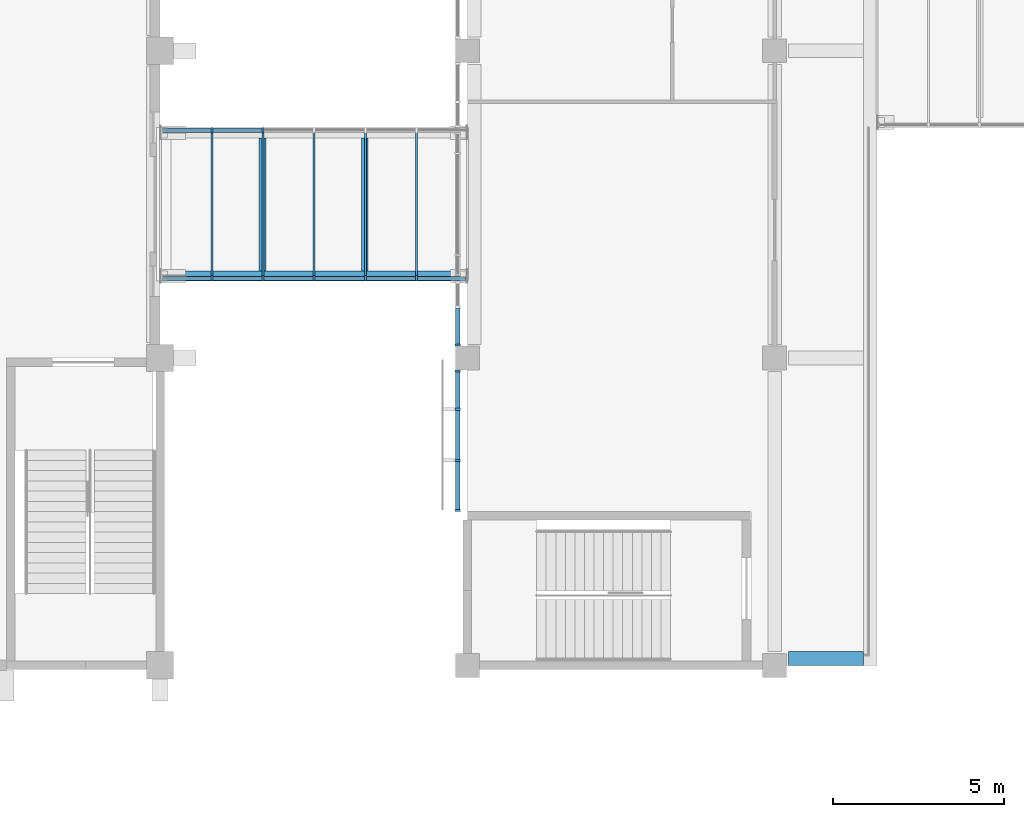
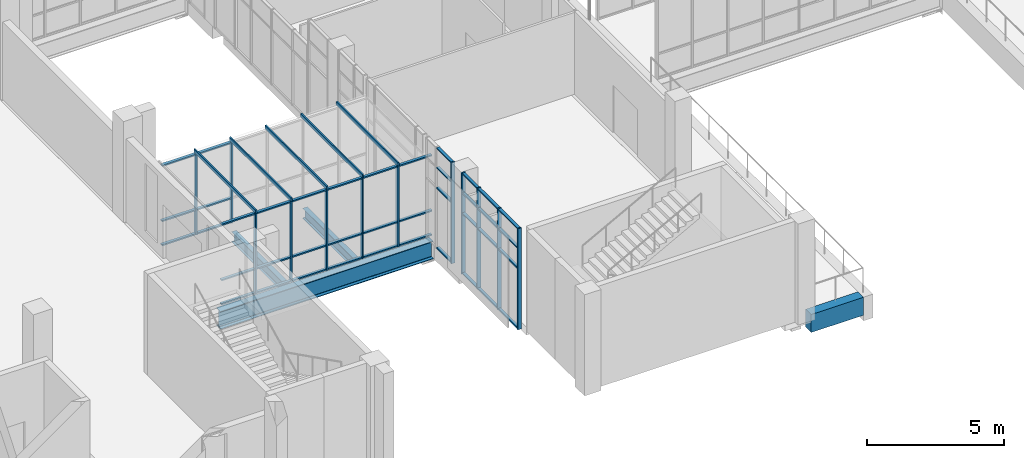
# One storey, part 9 of 106: 57 members, 4 beams, 5 elements without a shape of their own.
"""IFC4 building model written with IfcOpenShell, lengths in metres."""

from ifc_helpers import new_model, si_unit, direction, frame, origin, origin_2d, place, context, subcontext, project, spatial, rectangle, i_section, extrude, material, layer, layer_set, material_profile, profile_set, type_object, element, aggregate, save


model = new_model("IFC4")

# Units and contexts
model_context = context("Model", 3, precision=1e-05, world=origin(), true_north=direction((0.0, 1.0)))
body_context = subcontext(model_context, "Body", "Model", "MODEL_VIEW")
ifc_project = project(units=[si_unit("LENGTHUNIT", "METRE"), si_unit("AREAUNIT", "SQUARE_METRE"), si_unit("VOLUMEUNIT", "CUBIC_METRE"), si_unit("PLANEANGLEUNIT", "RADIAN"), si_unit("MASSUNIT", "GRAM", prefix="KILO")], contexts=[model_context])

# Site, building, storey
site_placement = place(None, origin())
site = spatial("IfcSite", under=ifc_project, at=site_placement, CompositionType="ELEMENT")
building_placement = place(site_placement, origin())
building = spatial("IfcBuilding", under=site, at=building_placement, Name="Guidao Yard Department Store", CompositionType="ELEMENT")
storey_placement = place(building_placement, frame((0.0, 0.0, 10.5)))
storey = spatial("IfcBuildingStorey", under=building, at=storey_placement, Name="L02", CompositionType="ELEMENT", Elevation=10.5)

# Beams
ifc_material_1 = material(Name="Concrete C40", Category="concrete")
ifc_material_profile_1 = material_profile(ifc_material_1, rectangle(XDim=0.39990234375, YDim=0.800048828125, at=origin_2d()), Name="Edge beam 400 x 800 C40")
ifc_profile_set_1 = profile_set([ifc_material_profile_1], Name="Concrete C40")
beam_type_1 = type_object("IfcBeamType", Name="Edge beam 400 x 800 C40", PredefinedType="BEAM", material=ifc_profile_set_1)
beam_1_placement = place(storey_placement, frame((81.39990234375, 45.199951171875, -0.39990234375), z_axis=(1.0, 0.0, 0.0), x_axis=(0.0, 1.0, 0.0)))
element("IfcBeam", 1, at=beam_1_placement, inside=storey, type_object=beam_type_1, Name="Beam EB39", PredefinedType="BEAM", context=body_context, shape_type="SweptSolid", body=[
    extrude(rectangle(XDim=0.39990234375, YDim=0.800048828125, at=origin_2d()), origin(), (0.0, 0.0, 1.0), 2.2001953125),
])
ifc_material_2 = material(Name="Steel Q355B", Category="steel")
ifc_material_profile_2 = material_profile(ifc_material_2, i_section(OverallWidth=0.199951171875, OverallDepth=0.449951171875, WebThickness=0.009033203125, FlangeThickness=0.013916015625, FilletRadius=0.012939453125, at=origin_2d()), Name="HN 450x200x9x14")
ifc_profile_set_2 = profile_set([ifc_material_profile_2], Name="Steel Q355B")
beam_type_2 = type_object("IfcBeamType", Name="HN 450x200x9x14", PredefinedType="BEAM", material=ifc_profile_set_2)
for number, where, z_axis, x_axis, name in (
    (2, (66.0048828125, 56.550048828125, -0.47509765625), (0.0, 1.0, 0.0), (-1.0, 0.0, 0.0), "Bridge cross beam BR03-1"),
    (3, (68.9951171875, 56.550048828125, -0.47509765625), (0.0, 1.0, 0.0), (-1.0, 0.0, 0.0), "Bridge cross beam BR03-2"),
):
    element("IfcBeam", number, at=place(storey_placement, frame(where, z_axis=z_axis, x_axis=x_axis)), inside=storey, type_object=beam_type_2, Name=name, PredefinedType="BEAM", context=body_context, shape_type="SweptSolid", body=[
        extrude(i_section(OverallWidth=0.199951171875, OverallDepth=0.449951171875, WebThickness=0.009033203125, FlangeThickness=0.013916015625, FilletRadius=0.012939453125, at=origin_2d()), origin(), (0.0, 0.0, 1.0), 3.89990234375),
    ])
ifc_material_3 = material(Name="Steel Q355B", Category="steel")
ifc_material_profile_3 = material_profile(ifc_material_3, i_section(OverallWidth=0.300048828125, OverallDepth=0.800048828125, WebThickness=0.013916015625, FlangeThickness=0.02587890625, FilletRadius=0.01806640625, at=origin_2d()), Name="HN 800x300x14x26")
ifc_profile_set_3 = profile_set([ifc_material_profile_3], Name="Steel Q355B")
beam_type_3 = type_object("IfcBeamType", Name="HN 800x300x14x26", PredefinedType="BEAM", material=ifc_profile_set_3)
beam_2_placement = place(storey_placement, frame((63.014892578125, 56.39990234375, -0.64990234375), z_axis=(1.0, 0.0, 0.0), x_axis=(0.0, 1.0, 0.0)))
element("IfcBeam", 4, at=beam_2_placement, inside=storey, type_object=beam_type_3, Name="Bridge girder BR03S", PredefinedType="BEAM", context=body_context, shape_type="SweptSolid", body=[
    extrude(i_section(OverallWidth=0.300048828125, OverallDepth=0.800048828125, WebThickness=0.013916015625, FlangeThickness=0.02587890625, FilletRadius=0.01806640625, at=origin_2d()), origin(), (0.0, 0.0, 1.0), 8.97021484375),
])

# Curtain wall, members
ifc_material_4 = material(Name="Aluminium and glass", Category="aluminium")
ifc_layer_1 = layer(ifc_material_4, 0.159912109375)
ifc_layer_set_1 = layer_set([ifc_layer_1], Name="Shopfront curtain wall CW1 1500 module")
curtain_wall_type_1 = type_object("IfcCurtainWallType", Name="Shopfront curtain wall CW1 1500 module", PredefinedType="NOTDEFINED", material=ifc_layer_set_1)
curtain_wall_1_placement = place(storey_placement, origin())
curtain_wall_1 = element("IfcCurtainWall", 5, at=curtain_wall_1_placement, inside=storey, type_object=curtain_wall_type_1, Name="Arcade shop front", PredefinedType="NOTDEFINED")
ifc_material_5 = material(Name="Aluminium 6063-T5", Category="aluminium")
ifc_material_profile_4 = material_profile(ifc_material_5, rectangle(XDim=0.06005859375, YDim=0.159912109375, at=origin_2d()), Name="Mullion M1 60 x 160 aluminium pressure plate")
ifc_profile_set_4 = profile_set([ifc_material_profile_4], Name="Aluminium 6063-T5")
member_type_1 = type_object("IfcMemberType", Name="Mullion M1 60 x 160 aluminium pressure plate", PredefinedType="MULLION", material=ifc_profile_set_4)
member_1_placement = place(storey_placement, frame((71.719970703125, 49.530029296875, 0.0), z_axis=(0.0, 0.0, 1.0), x_axis=(0.0, 1.0, 0.0)))
member_1 = element("IfcMember", 6, at=member_1_placement, type_object=member_type_1, Name="CW-AS-L02-01 mullion 1", PredefinedType="MULLION", context=body_context, shape_type="SweptSolid", body=[
    extrude(rectangle(XDim=0.06005859375, YDim=0.159912109375, at=origin_2d()), origin(), (0.0, 0.0, 1.0), 4.5),
])
member_2_placement = place(storey_placement, frame((71.719970703125, 51.0, 0.0), z_axis=(0.0, 0.0, 1.0), x_axis=(0.0, 1.0, 0.0)))
member_2 = element("IfcMember", 7, at=member_2_placement, type_object=member_type_1, Name="CW-AS-L02-01 mullion 2", PredefinedType="MULLION", context=body_context, shape_type="SweptSolid", body=[
    extrude(rectangle(XDim=0.06005859375, YDim=0.159912109375, at=origin_2d()), origin(), (0.0, 0.0, 1.0), 4.5),
])
member_3_placement = place(storey_placement, frame((71.719970703125, 52.5, 0.0), z_axis=(0.0, 0.0, 1.0), x_axis=(0.0, 1.0, 0.0)))
member_3 = element("IfcMember", 8, at=member_3_placement, type_object=member_type_1, Name="CW-AS-L02-01 mullion 3", PredefinedType="MULLION", context=body_context, shape_type="SweptSolid", body=[
    extrude(rectangle(XDim=0.06005859375, YDim=0.159912109375, at=origin_2d()), origin(), (0.0, 0.0, 1.0), 4.5),
])
member_4_placement = place(storey_placement, frame((71.719970703125, 53.6201171875, 0.0), z_axis=(0.0, 0.0, 1.0), x_axis=(0.0, 1.0, 0.0)))
member_4 = element("IfcMember", 9, at=member_4_placement, type_object=member_type_1, Name="CW-AS-L02-01 mullion 4", PredefinedType="MULLION", context=body_context, shape_type="SweptSolid", body=[
    extrude(rectangle(XDim=0.06005859375, YDim=0.159912109375, at=origin_2d()), origin(), (0.0, 0.0, 1.0), 4.5),
])

# Curtain wall, member
curtain_wall_2_placement = place(storey_placement, origin())
curtain_wall_2 = element("IfcCurtainWall", 10, at=curtain_wall_2_placement, inside=storey, type_object=curtain_wall_type_1, Name="Arcade shop front", PredefinedType="NOTDEFINED")
member_5_placement = place(storey_placement, frame((71.719970703125, 54.3798828125, 0.0), z_axis=(0.0, 0.0, 1.0), x_axis=(0.0, 1.0, 0.0)))
member_5 = element("IfcMember", 11, at=member_5_placement, type_object=member_type_1, Name="CW-AS-L02-02 mullion 1", PredefinedType="MULLION", context=body_context, shape_type="SweptSolid", body=[
    extrude(rectangle(XDim=0.06005859375, YDim=0.159912109375, at=origin_2d()), origin(), (0.0, 0.0, 1.0), 4.5),
])

# Curtain wall, members
ifc_material_6 = material(Name="Aluminium and glass", Category="aluminium")
ifc_layer_2 = layer(ifc_material_6, 0.159912109375)
ifc_layer_set_2 = layer_set([ifc_layer_2], Name="Bridge glazing CW5 1500 module")
curtain_wall_type_2 = type_object("IfcCurtainWallType", Name="Bridge glazing CW5 1500 module", PredefinedType="NOTDEFINED", material=ifc_layer_set_2)
curtain_wall_3_placement = place(storey_placement, origin())
curtain_wall_3 = element("IfcCurtainWall", 12, at=curtain_wall_3_placement, inside=storey, type_object=curtain_wall_type_2, Name="Bridge glazing BR03 S", PredefinedType="NOTDEFINED")
member_6_placement = place(storey_placement, frame((64.514892578125, 56.330078125, 0.0), z_axis=(0.0, 0.0, 1.0), x_axis=(-1.0, 0.0, 0.0)))
member_6 = element("IfcMember", 13, at=member_6_placement, type_object=member_type_1, Name="CW-S-L02-01 mullion 2", PredefinedType="MULLION", context=body_context, shape_type="SweptSolid", body=[
    extrude(rectangle(XDim=0.06005859375, YDim=0.159912109375, at=origin_2d()), origin(), (0.0, 0.0, 1.0), 3.60009765625),
])
member_7_placement = place(storey_placement, frame((66.014892578125, 56.330078125, 0.0), z_axis=(0.0, 0.0, 1.0), x_axis=(-1.0, 0.0, 0.0)))
member_7 = element("IfcMember", 14, at=member_7_placement, type_object=member_type_1, Name="CW-S-L02-01 mullion 3", PredefinedType="MULLION", context=body_context, shape_type="SweptSolid", body=[
    extrude(rectangle(XDim=0.06005859375, YDim=0.159912109375, at=origin_2d()), origin(), (0.0, 0.0, 1.0), 3.60009765625),
])
member_8_placement = place(storey_placement, frame((67.514892578125, 56.330078125, 0.0), z_axis=(0.0, 0.0, 1.0), x_axis=(-1.0, 0.0, 0.0)))
member_8 = element("IfcMember", 15, at=member_8_placement, type_object=member_type_1, Name="CW-S-L02-01 mullion 4", PredefinedType="MULLION", context=body_context, shape_type="SweptSolid", body=[
    extrude(rectangle(XDim=0.06005859375, YDim=0.159912109375, at=origin_2d()), origin(), (0.0, 0.0, 1.0), 3.60009765625),
])
member_9_placement = place(storey_placement, frame((69.014892578125, 56.330078125, 0.0), z_axis=(0.0, 0.0, 1.0), x_axis=(-1.0, 0.0, 0.0)))
member_9 = element("IfcMember", 16, at=member_9_placement, type_object=member_type_1, Name="CW-S-L02-01 mullion 5", PredefinedType="MULLION", context=body_context, shape_type="SweptSolid", body=[
    extrude(rectangle(XDim=0.06005859375, YDim=0.159912109375, at=origin_2d()), origin(), (0.0, 0.0, 1.0), 3.60009765625),
])
member_10_placement = place(storey_placement, frame((70.514892578125, 56.330078125, 0.0), z_axis=(0.0, 0.0, 1.0), x_axis=(-1.0, 0.0, 0.0)))
member_10 = element("IfcMember", 17, at=member_10_placement, type_object=member_type_1, Name="CW-S-L02-01 mullion 6", PredefinedType="MULLION", context=body_context, shape_type="SweptSolid", body=[
    extrude(rectangle(XDim=0.06005859375, YDim=0.159912109375, at=origin_2d()), origin(), (0.0, 0.0, 1.0), 3.60009765625),
])

curtain_wall_4_placement = place(storey_placement, origin())
curtain_wall_4 = element("IfcCurtainWall", 18, at=curtain_wall_4_placement, inside=storey, type_object=curtain_wall_type_2, Name="Bridge glazing BR03 N", PredefinedType="NOTDEFINED")
member_11_placement = place(storey_placement, frame((64.514892578125, 60.669921875, 0.0), z_axis=(0.0, 0.0, 1.0), x_axis=(1.0, 0.0, 0.0)))
member_11 = element("IfcMember", 19, at=member_11_placement, type_object=member_type_1, Name="CW-N-L02-02 mullion 2", PredefinedType="MULLION", context=body_context, shape_type="SweptSolid", body=[
    extrude(rectangle(XDim=0.06005859375, YDim=0.159912109375, at=origin_2d()), origin(), (0.0, 0.0, 1.0), 3.60009765625),
])
member_12_placement = place(storey_placement, frame((66.014892578125, 60.669921875, 0.0), z_axis=(0.0, 0.0, 1.0), x_axis=(1.0, 0.0, 0.0)))
member_12 = element("IfcMember", 20, at=member_12_placement, type_object=member_type_1, Name="CW-N-L02-02 mullion 3", PredefinedType="MULLION", context=body_context, shape_type="SweptSolid", body=[
    extrude(rectangle(XDim=0.06005859375, YDim=0.159912109375, at=origin_2d()), origin(), (0.0, 0.0, 1.0), 3.60009765625),
])

curtain_wall_5_placement = place(storey_placement, origin())
curtain_wall_5 = element("IfcCurtainWall", 21, at=curtain_wall_5_placement, inside=storey, type_object=curtain_wall_type_2, Name="Bridge roof glazing BR03", PredefinedType="NOTDEFINED")
ifc_material_7 = material(Name="Aluminium 6063-T5", Category="aluminium")
ifc_material_profile_5 = material_profile(ifc_material_7, rectangle(XDim=0.06005859375, YDim=0.159912109375, at=origin_2d()), Name="Roof bar RB1 60 x 160 aluminium")
ifc_profile_set_5 = profile_set([ifc_material_profile_5], Name="Aluminium 6063-T5")
member_type_2 = type_object("IfcMemberType", Name="Roof bar RB1 60 x 160 aluminium", PredefinedType="USERDEFINED", material=ifc_profile_set_5)
member_13_placement = place(storey_placement, frame((64.514892578125, 56.25, 3.679931640625), z_axis=(0.0, 1.0, 0.0), x_axis=(-1.0, 0.0, 0.0)))
member_13 = element("IfcMember", 22, at=member_13_placement, type_object=member_type_2, Name="Bridge roof bar BR03", ObjectType="TRANSOM", PredefinedType="USERDEFINED", context=body_context, shape_type="SweptSolid", body=[
    extrude(rectangle(XDim=0.06005859375, YDim=0.159912109375, at=origin_2d()), origin(), (0.0, 0.0, 1.0), 4.5),
])
member_14_placement = place(storey_placement, frame((66.014892578125, 56.25, 3.679931640625), z_axis=(0.0, 1.0, 0.0), x_axis=(-1.0, 0.0, 0.0)))
member_14 = element("IfcMember", 23, at=member_14_placement, type_object=member_type_2, Name="Bridge roof bar BR03", ObjectType="TRANSOM", PredefinedType="USERDEFINED", context=body_context, shape_type="SweptSolid", body=[
    extrude(rectangle(XDim=0.06005859375, YDim=0.159912109375, at=origin_2d()), origin(), (0.0, 0.0, 1.0), 4.5),
])
member_15_placement = place(storey_placement, frame((67.514892578125, 56.25, 3.679931640625), z_axis=(0.0, 1.0, 0.0), x_axis=(-1.0, 0.0, 0.0)))
member_15 = element("IfcMember", 24, at=member_15_placement, type_object=member_type_2, Name="Bridge roof bar BR03", ObjectType="TRANSOM", PredefinedType="USERDEFINED", context=body_context, shape_type="SweptSolid", body=[
    extrude(rectangle(XDim=0.06005859375, YDim=0.159912109375, at=origin_2d()), origin(), (0.0, 0.0, 1.0), 4.5),
])
member_16_placement = place(storey_placement, frame((69.014892578125, 56.25, 3.679931640625), z_axis=(0.0, 1.0, 0.0), x_axis=(-1.0, 0.0, 0.0)))
member_16 = element("IfcMember", 25, at=member_16_placement, type_object=member_type_2, Name="Bridge roof bar BR03", ObjectType="TRANSOM", PredefinedType="USERDEFINED", context=body_context, shape_type="SweptSolid", body=[
    extrude(rectangle(XDim=0.06005859375, YDim=0.159912109375, at=origin_2d()), origin(), (0.0, 0.0, 1.0), 4.5),
])
member_17_placement = place(storey_placement, frame((70.514892578125, 56.25, 3.679931640625), z_axis=(0.0, 1.0, 0.0), x_axis=(-1.0, 0.0, 0.0)))
member_17 = element("IfcMember", 26, at=member_17_placement, type_object=member_type_2, Name="Bridge roof bar BR03", ObjectType="TRANSOM", PredefinedType="USERDEFINED", context=body_context, shape_type="SweptSolid", body=[
    extrude(rectangle(XDim=0.06005859375, YDim=0.159912109375, at=origin_2d()), origin(), (0.0, 0.0, 1.0), 4.5),
])
aggregate(curtain_wall_5, [member_13, member_14, member_15, member_16, member_17])

# Member
ifc_material_8 = material(Name="Aluminium 6063-T5", Category="aluminium")
ifc_material_profile_6 = material_profile(ifc_material_8, rectangle(XDim=0.1201171875, YDim=0.06005859375, at=origin_2d()), Name="Transom T1 60 x 120 aluminium pressure plate")
ifc_profile_set_6 = profile_set([ifc_material_profile_6], Name="Aluminium 6063-T5")
member_type_3 = type_object("IfcMemberType", Name="Transom T1 60 x 120 aluminium pressure plate", PredefinedType="USERDEFINED", material=ifc_profile_set_6)
member_18_placement = place(storey_placement, frame((71.719970703125, 49.56005859375, 0.030029296875), z_axis=(0.0, 1.0, 0.0), x_axis=(-1.0, 0.0, 0.0)))
member_18 = element("IfcMember", 27, at=member_18_placement, type_object=member_type_3, Name="CW-AS-L02-01 transom 1.1", ObjectType="TRANSOM", PredefinedType="USERDEFINED", context=body_context, shape_type="SweptSolid", body=[
    extrude(rectangle(XDim=0.1201171875, YDim=0.06005859375, at=origin_2d()), origin(), (0.0, 0.0, 1.0), 1.409912109375),
])

member_19_placement = place(storey_placement, frame((71.719970703125, 49.56005859375, 2.699951171875), z_axis=(0.0, 1.0, 0.0), x_axis=(-1.0, 0.0, 0.0)))
member_19 = element("IfcMember", 28, at=member_19_placement, type_object=member_type_3, Name="CW-AS-L02-01 transom 1.2", ObjectType="TRANSOM", PredefinedType="USERDEFINED", context=body_context, shape_type="SweptSolid", body=[
    extrude(rectangle(XDim=0.1201171875, YDim=0.06005859375, at=origin_2d()), origin(), (0.0, 0.0, 1.0), 1.409912109375),
])

member_20_placement = place(storey_placement, frame((71.719970703125, 49.56005859375, 3.60009765625), z_axis=(0.0, 1.0, 0.0), x_axis=(-1.0, 0.0, 0.0)))
member_20 = element("IfcMember", 29, at=member_20_placement, type_object=member_type_3, Name="CW-AS-L02-01 transom 1.3", ObjectType="TRANSOM", PredefinedType="USERDEFINED", context=body_context, shape_type="SweptSolid", body=[
    extrude(rectangle(XDim=0.1201171875, YDim=0.06005859375, at=origin_2d()), origin(), (0.0, 0.0, 1.0), 1.409912109375),
])

member_21_placement = place(storey_placement, frame((71.719970703125, 49.56005859375, 4.469970703125), z_axis=(0.0, 1.0, 0.0), x_axis=(-1.0, 0.0, 0.0)))
member_21 = element("IfcMember", 30, at=member_21_placement, type_object=member_type_3, Name="CW-AS-L02-01 transom 1.4", ObjectType="TRANSOM", PredefinedType="USERDEFINED", context=body_context, shape_type="SweptSolid", body=[
    extrude(rectangle(XDim=0.1201171875, YDim=0.06005859375, at=origin_2d()), origin(), (0.0, 0.0, 1.0), 1.409912109375),
])

member_22_placement = place(storey_placement, frame((71.719970703125, 51.030029296875, 0.030029296875), z_axis=(0.0, 1.0, 0.0), x_axis=(-1.0, 0.0, 0.0)))
member_22 = element("IfcMember", 31, at=member_22_placement, type_object=member_type_3, Name="CW-AS-L02-01 transom 2.1", ObjectType="TRANSOM", PredefinedType="USERDEFINED", context=body_context, shape_type="SweptSolid", body=[
    extrude(rectangle(XDim=0.1201171875, YDim=0.06005859375, at=origin_2d()), origin(), (0.0, 0.0, 1.0), 1.43994140625),
])

member_23_placement = place(storey_placement, frame((71.719970703125, 51.030029296875, 2.699951171875), z_axis=(0.0, 1.0, 0.0), x_axis=(-1.0, 0.0, 0.0)))
member_23 = element("IfcMember", 32, at=member_23_placement, type_object=member_type_3, Name="CW-AS-L02-01 transom 2.2", ObjectType="TRANSOM", PredefinedType="USERDEFINED", context=body_context, shape_type="SweptSolid", body=[
    extrude(rectangle(XDim=0.1201171875, YDim=0.06005859375, at=origin_2d()), origin(), (0.0, 0.0, 1.0), 1.43994140625),
])

member_24_placement = place(storey_placement, frame((71.719970703125, 51.030029296875, 3.60009765625), z_axis=(0.0, 1.0, 0.0), x_axis=(-1.0, 0.0, 0.0)))
member_24 = element("IfcMember", 33, at=member_24_placement, type_object=member_type_3, Name="CW-AS-L02-01 transom 2.3", ObjectType="TRANSOM", PredefinedType="USERDEFINED", context=body_context, shape_type="SweptSolid", body=[
    extrude(rectangle(XDim=0.1201171875, YDim=0.06005859375, at=origin_2d()), origin(), (0.0, 0.0, 1.0), 1.43994140625),
])

member_25_placement = place(storey_placement, frame((71.719970703125, 51.030029296875, 4.469970703125), z_axis=(0.0, 1.0, 0.0), x_axis=(-1.0, 0.0, 0.0)))
member_25 = element("IfcMember", 34, at=member_25_placement, type_object=member_type_3, Name="CW-AS-L02-01 transom 2.4", ObjectType="TRANSOM", PredefinedType="USERDEFINED", context=body_context, shape_type="SweptSolid", body=[
    extrude(rectangle(XDim=0.1201171875, YDim=0.06005859375, at=origin_2d()), origin(), (0.0, 0.0, 1.0), 1.43994140625),
])

member_26_placement = place(storey_placement, frame((71.719970703125, 52.530029296875, 0.030029296875), z_axis=(0.0, 1.0, 0.0), x_axis=(-1.0, 0.0, 0.0)))
member_26 = element("IfcMember", 35, at=member_26_placement, type_object=member_type_3, Name="CW-AS-L02-01 transom 3.1", ObjectType="TRANSOM", PredefinedType="USERDEFINED", context=body_context, shape_type="SweptSolid", body=[
    extrude(rectangle(XDim=0.1201171875, YDim=0.06005859375, at=origin_2d()), origin(), (0.0, 0.0, 1.0), 1.06005859375),
])

member_27_placement = place(storey_placement, frame((71.719970703125, 52.530029296875, 2.699951171875), z_axis=(0.0, 1.0, 0.0), x_axis=(-1.0, 0.0, 0.0)))
member_27 = element("IfcMember", 36, at=member_27_placement, type_object=member_type_3, Name="CW-AS-L02-01 transom 3.2", ObjectType="TRANSOM", PredefinedType="USERDEFINED", context=body_context, shape_type="SweptSolid", body=[
    extrude(rectangle(XDim=0.1201171875, YDim=0.06005859375, at=origin_2d()), origin(), (0.0, 0.0, 1.0), 1.06005859375),
])

member_28_placement = place(storey_placement, frame((71.719970703125, 52.530029296875, 3.60009765625), z_axis=(0.0, 1.0, 0.0), x_axis=(-1.0, 0.0, 0.0)))
member_28 = element("IfcMember", 37, at=member_28_placement, type_object=member_type_3, Name="CW-AS-L02-01 transom 3.3", ObjectType="TRANSOM", PredefinedType="USERDEFINED", context=body_context, shape_type="SweptSolid", body=[
    extrude(rectangle(XDim=0.1201171875, YDim=0.06005859375, at=origin_2d()), origin(), (0.0, 0.0, 1.0), 1.06005859375),
])

member_29_placement = place(storey_placement, frame((71.719970703125, 52.530029296875, 4.469970703125), z_axis=(0.0, 1.0, 0.0), x_axis=(-1.0, 0.0, 0.0)))
member_29 = element("IfcMember", 38, at=member_29_placement, type_object=member_type_3, Name="CW-AS-L02-01 transom 3.4", ObjectType="TRANSOM", PredefinedType="USERDEFINED", context=body_context, shape_type="SweptSolid", body=[
    extrude(rectangle(XDim=0.1201171875, YDim=0.06005859375, at=origin_2d()), origin(), (0.0, 0.0, 1.0), 1.06005859375),
])

aggregate(curtain_wall_1, [member_1, member_2, member_3, member_4, member_18, member_19, member_20, member_21, member_22, member_23, member_24, member_25, member_26, member_27, member_28, member_29])

member_30_placement = place(storey_placement, frame((71.719970703125, 54.409912109375, 0.030029296875), z_axis=(0.0, 1.0, 0.0), x_axis=(-1.0, 0.0, 0.0)))
member_30 = element("IfcMember", 39, at=member_30_placement, type_object=member_type_3, Name="CW-AS-L02-02 transom 1.1", ObjectType="TRANSOM", PredefinedType="USERDEFINED", context=body_context, shape_type="SweptSolid", body=[
    extrude(rectangle(XDim=0.1201171875, YDim=0.06005859375, at=origin_2d()), origin(), (0.0, 0.0, 1.0), 1.06005859375),
])

member_31_placement = place(storey_placement, frame((71.719970703125, 54.409912109375, 2.699951171875), z_axis=(0.0, 1.0, 0.0), x_axis=(-1.0, 0.0, 0.0)))
member_31 = element("IfcMember", 40, at=member_31_placement, type_object=member_type_3, Name="CW-AS-L02-02 transom 1.2", ObjectType="TRANSOM", PredefinedType="USERDEFINED", context=body_context, shape_type="SweptSolid", body=[
    extrude(rectangle(XDim=0.1201171875, YDim=0.06005859375, at=origin_2d()), origin(), (0.0, 0.0, 1.0), 1.06005859375),
])

member_32_placement = place(storey_placement, frame((71.719970703125, 54.409912109375, 3.60009765625), z_axis=(0.0, 1.0, 0.0), x_axis=(-1.0, 0.0, 0.0)))
member_32 = element("IfcMember", 41, at=member_32_placement, type_object=member_type_3, Name="CW-AS-L02-02 transom 1.3", ObjectType="TRANSOM", PredefinedType="USERDEFINED", context=body_context, shape_type="SweptSolid", body=[
    extrude(rectangle(XDim=0.1201171875, YDim=0.06005859375, at=origin_2d()), origin(), (0.0, 0.0, 1.0), 1.06005859375),
])

member_33_placement = place(storey_placement, frame((71.719970703125, 54.409912109375, 4.469970703125), z_axis=(0.0, 1.0, 0.0), x_axis=(-1.0, 0.0, 0.0)))
member_33 = element("IfcMember", 42, at=member_33_placement, type_object=member_type_3, Name="CW-AS-L02-02 transom 1.4", ObjectType="TRANSOM", PredefinedType="USERDEFINED", context=body_context, shape_type="SweptSolid", body=[
    extrude(rectangle(XDim=0.1201171875, YDim=0.06005859375, at=origin_2d()), origin(), (0.0, 0.0, 1.0), 1.06005859375),
])

aggregate(curtain_wall_2, [member_5, member_30, member_31, member_32, member_33])

member_34_placement = place(storey_placement, frame((64.485107421875, 56.330078125, 0.030029296875), z_axis=(-1.0, 0.0, 0.0), x_axis=(0.0, -1.0, 0.0)))
member_34 = element("IfcMember", 43, at=member_34_placement, type_object=member_type_3, Name="CW-S-L02-01 transom 1.1", ObjectType="TRANSOM", PredefinedType="USERDEFINED", context=body_context, shape_type="SweptSolid", body=[
    extrude(rectangle(XDim=0.1201171875, YDim=0.06005859375, at=origin_2d()), origin(), (0.0, 0.0, 1.0), 1.41015625),
])

member_35_placement = place(storey_placement, frame((64.485107421875, 56.330078125, 1.10009765625), z_axis=(-1.0, 0.0, 0.0), x_axis=(0.0, -1.0, 0.0)))
member_35 = element("IfcMember", 44, at=member_35_placement, type_object=member_type_3, Name="CW-S-L02-01 transom 1.2", ObjectType="TRANSOM", PredefinedType="USERDEFINED", context=body_context, shape_type="SweptSolid", body=[
    extrude(rectangle(XDim=0.1201171875, YDim=0.06005859375, at=origin_2d()), origin(), (0.0, 0.0, 1.0), 1.41015625),
])

member_36_placement = place(storey_placement, frame((64.485107421875, 56.330078125, 3.570068359375), z_axis=(-1.0, 0.0, 0.0), x_axis=(0.0, -1.0, 0.0)))
member_36 = element("IfcMember", 45, at=member_36_placement, type_object=member_type_3, Name="CW-S-L02-01 transom 1.3", ObjectType="TRANSOM", PredefinedType="USERDEFINED", context=body_context, shape_type="SweptSolid", body=[
    extrude(rectangle(XDim=0.1201171875, YDim=0.06005859375, at=origin_2d()), origin(), (0.0, 0.0, 1.0), 1.41015625),
])

member_37_placement = place(storey_placement, frame((65.985107421875, 56.330078125, 0.030029296875), z_axis=(-1.0, 0.0, 0.0), x_axis=(0.0, -1.0, 0.0)))
member_37 = element("IfcMember", 46, at=member_37_placement, type_object=member_type_3, Name="CW-S-L02-01 transom 2.1", ObjectType="TRANSOM", PredefinedType="USERDEFINED", context=body_context, shape_type="SweptSolid", body=[
    extrude(rectangle(XDim=0.1201171875, YDim=0.06005859375, at=origin_2d()), origin(), (0.0, 0.0, 1.0), 1.440185546875),
])

member_38_placement = place(storey_placement, frame((65.985107421875, 56.330078125, 1.10009765625), z_axis=(-1.0, 0.0, 0.0), x_axis=(0.0, -1.0, 0.0)))
member_38 = element("IfcMember", 47, at=member_38_placement, type_object=member_type_3, Name="CW-S-L02-01 transom 2.2", ObjectType="TRANSOM", PredefinedType="USERDEFINED", context=body_context, shape_type="SweptSolid", body=[
    extrude(rectangle(XDim=0.1201171875, YDim=0.06005859375, at=origin_2d()), origin(), (0.0, 0.0, 1.0), 1.440185546875),
])

member_39_placement = place(storey_placement, frame((65.985107421875, 56.330078125, 3.570068359375), z_axis=(-1.0, 0.0, 0.0), x_axis=(0.0, -1.0, 0.0)))
member_39 = element("IfcMember", 48, at=member_39_placement, type_object=member_type_3, Name="CW-S-L02-01 transom 2.3", ObjectType="TRANSOM", PredefinedType="USERDEFINED", context=body_context, shape_type="SweptSolid", body=[
    extrude(rectangle(XDim=0.1201171875, YDim=0.06005859375, at=origin_2d()), origin(), (0.0, 0.0, 1.0), 1.440185546875),
])

member_40_placement = place(storey_placement, frame((67.485107421875, 56.330078125, 0.030029296875), z_axis=(-1.0, 0.0, 0.0), x_axis=(0.0, -1.0, 0.0)))
member_40 = element("IfcMember", 49, at=member_40_placement, type_object=member_type_3, Name="CW-S-L02-01 transom 3.1", ObjectType="TRANSOM", PredefinedType="USERDEFINED", context=body_context, shape_type="SweptSolid", body=[
    extrude(rectangle(XDim=0.1201171875, YDim=0.06005859375, at=origin_2d()), origin(), (0.0, 0.0, 1.0), 1.440185546875),
])

member_41_placement = place(storey_placement, frame((67.485107421875, 56.330078125, 1.10009765625), z_axis=(-1.0, 0.0, 0.0), x_axis=(0.0, -1.0, 0.0)))
member_41 = element("IfcMember", 50, at=member_41_placement, type_object=member_type_3, Name="CW-S-L02-01 transom 3.2", ObjectType="TRANSOM", PredefinedType="USERDEFINED", context=body_context, shape_type="SweptSolid", body=[
    extrude(rectangle(XDim=0.1201171875, YDim=0.06005859375, at=origin_2d()), origin(), (0.0, 0.0, 1.0), 1.440185546875),
])

member_42_placement = place(storey_placement, frame((67.485107421875, 56.330078125, 3.570068359375), z_axis=(-1.0, 0.0, 0.0), x_axis=(0.0, -1.0, 0.0)))
member_42 = element("IfcMember", 51, at=member_42_placement, type_object=member_type_3, Name="CW-S-L02-01 transom 3.3", ObjectType="TRANSOM", PredefinedType="USERDEFINED", context=body_context, shape_type="SweptSolid", body=[
    extrude(rectangle(XDim=0.1201171875, YDim=0.06005859375, at=origin_2d()), origin(), (0.0, 0.0, 1.0), 1.440185546875),
])

member_43_placement = place(storey_placement, frame((68.985107421875, 56.330078125, 0.030029296875), z_axis=(-1.0, 0.0, 0.0), x_axis=(0.0, -1.0, 0.0)))
member_43 = element("IfcMember", 52, at=member_43_placement, type_object=member_type_3, Name="CW-S-L02-01 transom 4.1", ObjectType="TRANSOM", PredefinedType="USERDEFINED", context=body_context, shape_type="SweptSolid", body=[
    extrude(rectangle(XDim=0.1201171875, YDim=0.06005859375, at=origin_2d()), origin(), (0.0, 0.0, 1.0), 1.440185546875),
])

member_44_placement = place(storey_placement, frame((68.985107421875, 56.330078125, 1.10009765625), z_axis=(-1.0, 0.0, 0.0), x_axis=(0.0, -1.0, 0.0)))
member_44 = element("IfcMember", 53, at=member_44_placement, type_object=member_type_3, Name="CW-S-L02-01 transom 4.2", ObjectType="TRANSOM", PredefinedType="USERDEFINED", context=body_context, shape_type="SweptSolid", body=[
    extrude(rectangle(XDim=0.1201171875, YDim=0.06005859375, at=origin_2d()), origin(), (0.0, 0.0, 1.0), 1.440185546875),
])

member_45_placement = place(storey_placement, frame((68.985107421875, 56.330078125, 3.570068359375), z_axis=(-1.0, 0.0, 0.0), x_axis=(0.0, -1.0, 0.0)))
member_45 = element("IfcMember", 54, at=member_45_placement, type_object=member_type_3, Name="CW-S-L02-01 transom 4.3", ObjectType="TRANSOM", PredefinedType="USERDEFINED", context=body_context, shape_type="SweptSolid", body=[
    extrude(rectangle(XDim=0.1201171875, YDim=0.06005859375, at=origin_2d()), origin(), (0.0, 0.0, 1.0), 1.440185546875),
])

member_46_placement = place(storey_placement, frame((70.485107421875, 56.330078125, 0.030029296875), z_axis=(-1.0, 0.0, 0.0), x_axis=(0.0, -1.0, 0.0)))
member_46 = element("IfcMember", 55, at=member_46_placement, type_object=member_type_3, Name="CW-S-L02-01 transom 5.1", ObjectType="TRANSOM", PredefinedType="USERDEFINED", context=body_context, shape_type="SweptSolid", body=[
    extrude(rectangle(XDim=0.1201171875, YDim=0.06005859375, at=origin_2d()), origin(), (0.0, 0.0, 1.0), 1.440185546875),
])

member_47_placement = place(storey_placement, frame((70.485107421875, 56.330078125, 1.10009765625), z_axis=(-1.0, 0.0, 0.0), x_axis=(0.0, -1.0, 0.0)))
member_47 = element("IfcMember", 56, at=member_47_placement, type_object=member_type_3, Name="CW-S-L02-01 transom 5.2", ObjectType="TRANSOM", PredefinedType="USERDEFINED", context=body_context, shape_type="SweptSolid", body=[
    extrude(rectangle(XDim=0.1201171875, YDim=0.06005859375, at=origin_2d()), origin(), (0.0, 0.0, 1.0), 1.440185546875),
])

member_48_placement = place(storey_placement, frame((70.485107421875, 56.330078125, 3.570068359375), z_axis=(-1.0, 0.0, 0.0), x_axis=(0.0, -1.0, 0.0)))
member_48 = element("IfcMember", 57, at=member_48_placement, type_object=member_type_3, Name="CW-S-L02-01 transom 5.3", ObjectType="TRANSOM", PredefinedType="USERDEFINED", context=body_context, shape_type="SweptSolid", body=[
    extrude(rectangle(XDim=0.1201171875, YDim=0.06005859375, at=origin_2d()), origin(), (0.0, 0.0, 1.0), 1.440185546875),
])

member_49_placement = place(storey_placement, frame((71.93994140625, 56.330078125, 0.030029296875), z_axis=(-1.0, 0.0, 0.0), x_axis=(0.0, -1.0, 0.0)))
member_49 = element("IfcMember", 58, at=member_49_placement, type_object=member_type_3, Name="CW-S-L02-01 transom 6.1", ObjectType="TRANSOM", PredefinedType="USERDEFINED", context=body_context, shape_type="SweptSolid", body=[
    extrude(rectangle(XDim=0.1201171875, YDim=0.06005859375, at=origin_2d()), origin(), (0.0, 0.0, 1.0), 1.39501953125),
])

member_50_placement = place(storey_placement, frame((71.93994140625, 56.330078125, 1.10009765625), z_axis=(-1.0, 0.0, 0.0), x_axis=(0.0, -1.0, 0.0)))
member_50 = element("IfcMember", 59, at=member_50_placement, type_object=member_type_3, Name="CW-S-L02-01 transom 6.2", ObjectType="TRANSOM", PredefinedType="USERDEFINED", context=body_context, shape_type="SweptSolid", body=[
    extrude(rectangle(XDim=0.1201171875, YDim=0.06005859375, at=origin_2d()), origin(), (0.0, 0.0, 1.0), 1.39501953125),
])

member_51_placement = place(storey_placement, frame((71.93994140625, 56.330078125, 3.570068359375), z_axis=(-1.0, 0.0, 0.0), x_axis=(0.0, -1.0, 0.0)))
member_51 = element("IfcMember", 60, at=member_51_placement, type_object=member_type_3, Name="CW-S-L02-01 transom 6.3", ObjectType="TRANSOM", PredefinedType="USERDEFINED", context=body_context, shape_type="SweptSolid", body=[
    extrude(rectangle(XDim=0.1201171875, YDim=0.06005859375, at=origin_2d()), origin(), (0.0, 0.0, 1.0), 1.39501953125),
])

aggregate(curtain_wall_3, [member_6, member_7, member_8, member_9, member_10, member_34, member_35, member_36, member_37, member_38, member_39, member_40, member_41, member_42, member_43, member_44, member_45, member_46, member_47, member_48, member_49, member_50, member_51])

member_52_placement = place(storey_placement, frame((63.074951171875, 60.669921875, 0.030029296875), z_axis=(1.0, 0.0, 0.0), x_axis=(0.0, 1.0, 0.0)))
member_52 = element("IfcMember", 61, at=member_52_placement, type_object=member_type_3, Name="CW-N-L02-02 transom 1.1", ObjectType="TRANSOM", PredefinedType="USERDEFINED", context=body_context, shape_type="SweptSolid", body=[
    extrude(rectangle(XDim=0.1201171875, YDim=0.06005859375, at=origin_2d()), origin(), (0.0, 0.0, 1.0), 1.41015625),
])

member_53_placement = place(storey_placement, frame((63.074951171875, 60.669921875, 1.10009765625), z_axis=(1.0, 0.0, 0.0), x_axis=(0.0, 1.0, 0.0)))
member_53 = element("IfcMember", 62, at=member_53_placement, type_object=member_type_3, Name="CW-N-L02-02 transom 1.2", ObjectType="TRANSOM", PredefinedType="USERDEFINED", context=body_context, shape_type="SweptSolid", body=[
    extrude(rectangle(XDim=0.1201171875, YDim=0.06005859375, at=origin_2d()), origin(), (0.0, 0.0, 1.0), 1.41015625),
])

member_54_placement = place(storey_placement, frame((63.074951171875, 60.669921875, 3.570068359375), z_axis=(1.0, 0.0, 0.0), x_axis=(0.0, 1.0, 0.0)))
member_54 = element("IfcMember", 63, at=member_54_placement, type_object=member_type_3, Name="CW-N-L02-02 transom 1.3", ObjectType="TRANSOM", PredefinedType="USERDEFINED", context=body_context, shape_type="SweptSolid", body=[
    extrude(rectangle(XDim=0.1201171875, YDim=0.06005859375, at=origin_2d()), origin(), (0.0, 0.0, 1.0), 1.41015625),
])

member_55_placement = place(storey_placement, frame((64.544921875, 60.669921875, 0.030029296875), z_axis=(1.0, 0.0, 0.0), x_axis=(0.0, 1.0, 0.0)))
member_55 = element("IfcMember", 64, at=member_55_placement, type_object=member_type_3, Name="CW-N-L02-02 transom 2.1", ObjectType="TRANSOM", PredefinedType="USERDEFINED", context=body_context, shape_type="SweptSolid", body=[
    extrude(rectangle(XDim=0.1201171875, YDim=0.06005859375, at=origin_2d()), origin(), (0.0, 0.0, 1.0), 1.440185546875),
])

member_56_placement = place(storey_placement, frame((64.544921875, 60.669921875, 1.10009765625), z_axis=(1.0, 0.0, 0.0), x_axis=(0.0, 1.0, 0.0)))
member_56 = element("IfcMember", 65, at=member_56_placement, type_object=member_type_3, Name="CW-N-L02-02 transom 2.2", ObjectType="TRANSOM", PredefinedType="USERDEFINED", context=body_context, shape_type="SweptSolid", body=[
    extrude(rectangle(XDim=0.1201171875, YDim=0.06005859375, at=origin_2d()), origin(), (0.0, 0.0, 1.0), 1.440185546875),
])

member_57_placement = place(storey_placement, frame((64.544921875, 60.669921875, 3.570068359375), z_axis=(1.0, 0.0, 0.0), x_axis=(0.0, 1.0, 0.0)))
member_57 = element("IfcMember", 66, at=member_57_placement, type_object=member_type_3, Name="CW-N-L02-02 transom 2.3", ObjectType="TRANSOM", PredefinedType="USERDEFINED", context=body_context, shape_type="SweptSolid", body=[
    extrude(rectangle(XDim=0.1201171875, YDim=0.06005859375, at=origin_2d()), origin(), (0.0, 0.0, 1.0), 1.440185546875),
])

aggregate(curtain_wall_4, [member_11, member_12, member_52, member_53, member_54, member_55, member_56, member_57])

save(model, "model.ifc")
